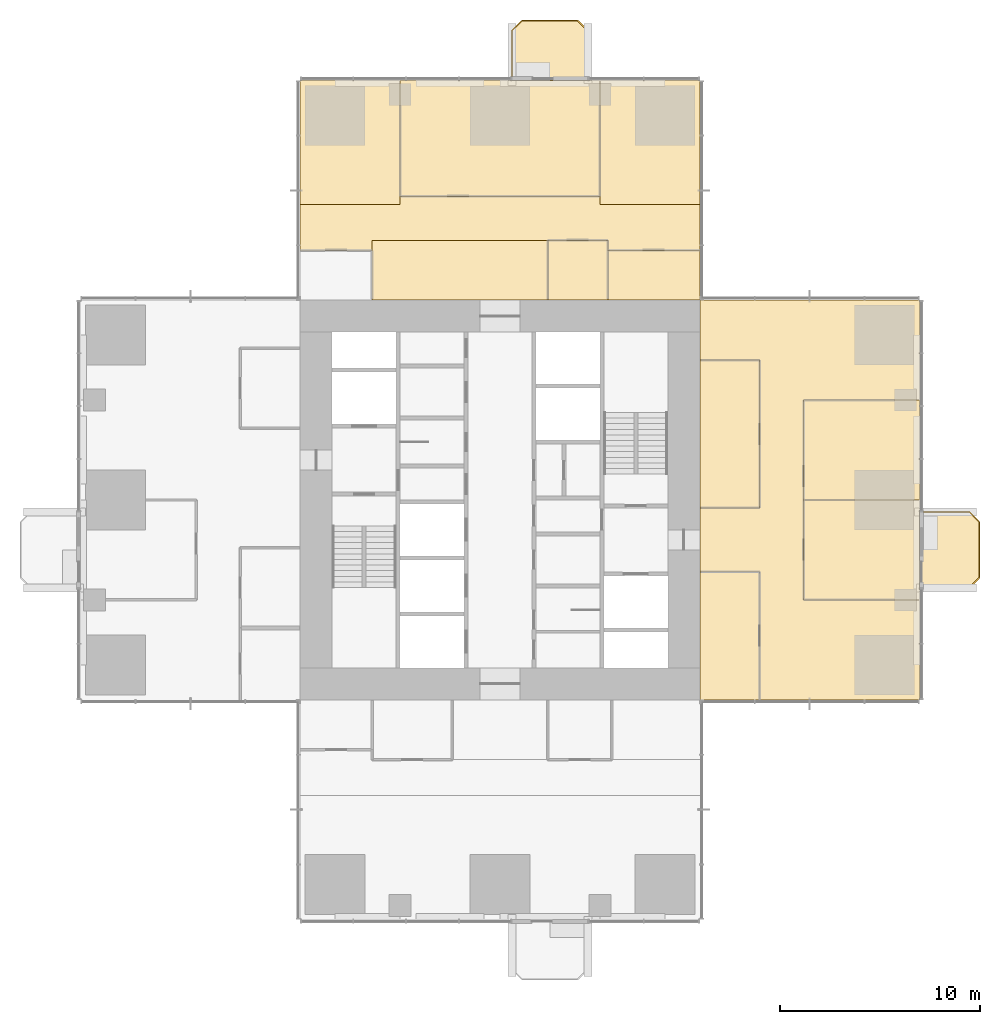
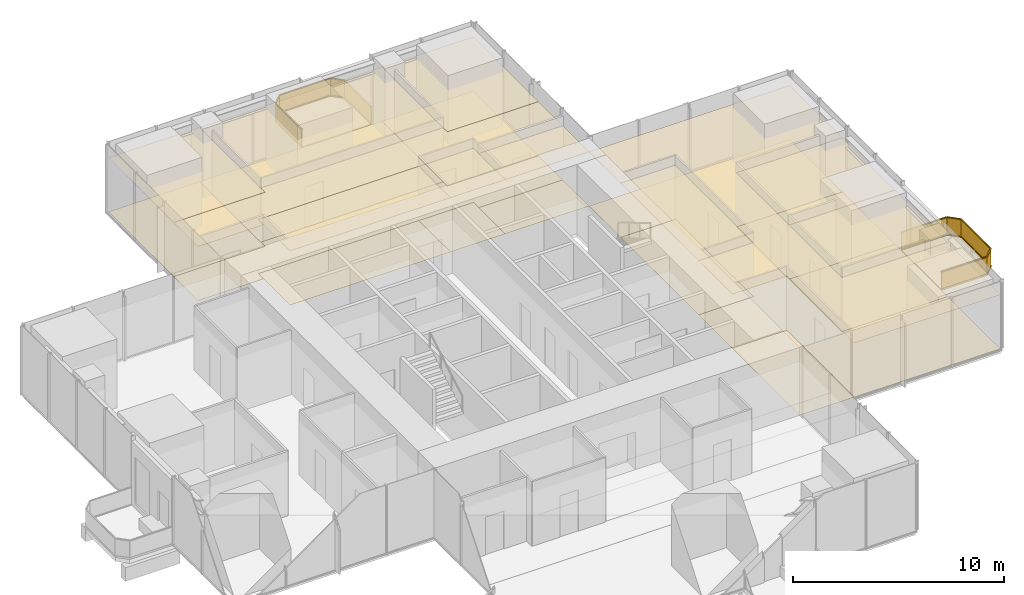
# One storey, part 12 of 13: 25 coverings, 2 railings.
"""IFC4 building model written with IfcOpenShell, lengths in metres."""

from ifc_helpers import new_model, si_unit, direction, frame, origin, origin_2d, place, context, subcontext, project, spatial, polyline, rectangle, outline, extrude, material, layer, layer_set, type_object, element, save


model = new_model("IFC4")

# Units and contexts
model_context = context("Model", 3, precision=1e-05, world=origin(), true_north=direction((0.0, 1.0)))
body_context = subcontext(model_context, "Body", "Model", "MODEL_VIEW")
ifc_project = project(units=[si_unit("LENGTHUNIT", "METRE"), si_unit("AREAUNIT", "SQUARE_METRE"), si_unit("VOLUMEUNIT", "CUBIC_METRE"), si_unit("PLANEANGLEUNIT", "RADIAN"), si_unit("MASSUNIT", "GRAM", prefix="KILO")], contexts=[model_context])

# Site, building, storey
site_placement = place(None, origin())
site = spatial("IfcSite", under=ifc_project, at=site_placement, CompositionType="ELEMENT")
building_placement = place(site_placement, origin())
building = spatial("IfcBuilding", under=site, at=building_placement, Name="Svetlomir Tower", CompositionType="ELEMENT")
storey_placement = place(building_placement, frame((0.0, 0.0, 136.5)))
storey = spatial("IfcBuildingStorey", under=building, at=storey_placement, Name="L32", CompositionType="ELEMENT", Elevation=136.5)

# Railings
ifc_material_1 = material(Name="Bronze anodised aluminium and laminated glass", Category="aluminium")
railing_type = type_object("IfcRailingType", Name="BALCONY GUARD GR1 1100", PredefinedType="GUARDRAIL", material=ifc_material_1)
railing_1_placement = place(storey_placement, frame((42.0, 16.60009765625, 0.0)))
element("IfcRailing", 1, at=railing_1_placement, inside=storey, type_object=railing_type, Name="Balcony guard E L32", PredefinedType="GUARDRAIL", context=body_context, shape_type="SweptSolid", body=[
    extrude(rectangle(XDim=0.06005859375, YDim=0.10009765625, at=origin_2d()), frame((0.0, 0.0, 0.050048828125), z_axis=(1.0, 0.0, 0.0), x_axis=(0.0, 1.0, 0.0)), (0.0, 0.0, 1.0), 2.5),
    extrude(rectangle(XDim=0.021484375, YDim=0.960205078125, at=origin_2d()), frame((0.0, 0.0, 0.580078125), z_axis=(1.0, 0.0, 0.0), x_axis=(0.0, 1.0, 0.0)), (0.0, 0.0, 1.0), 2.5),
    extrude(rectangle(XDim=0.06005859375, YDim=0.0400390625, at=origin_2d()), frame((0.0, 0.0, 1.080078125), z_axis=(1.0, 0.0, 0.0), x_axis=(0.0, 1.0, 0.0)), (0.0, 0.0, 1.0), 2.5),
    extrude(rectangle(XDim=0.06005859375, YDim=0.10009765625, at=origin_2d()), frame((2.5, 0.0, 0.050048828125), z_axis=(0.707106781187, 0.707106781187, 0.0), x_axis=(-0.707106781187, 0.707106781187, 0.0)), (0.0, 0.0, 1.0), 0.70703125),
    extrude(rectangle(XDim=0.021484375, YDim=0.960205078125, at=origin_2d()), frame((2.5, 0.0, 0.580078125), z_axis=(0.707106781187, 0.707106781187, 0.0), x_axis=(-0.707106781187, 0.707106781187, 0.0)), (0.0, 0.0, 1.0), 0.70703125),
    extrude(rectangle(XDim=0.06005859375, YDim=0.0400390625, at=origin_2d()), frame((2.5, 0.0, 1.080078125), z_axis=(0.707106781187, 0.707106781187, 0.0), x_axis=(-0.707106781187, 0.707106781187, 0.0)), (0.0, 0.0, 1.0), 0.70703125),
    extrude(rectangle(XDim=0.06005859375, YDim=0.10009765625, at=origin_2d()), frame((3.0, 0.5, 0.050048828125), z_axis=(0.0, 1.0, 0.0), x_axis=(-1.0, 0.0, 0.0)), (0.0, 0.0, 1.0), 2.7998046875),
    extrude(rectangle(XDim=0.021484375, YDim=0.960205078125, at=origin_2d()), frame((3.0, 0.5, 0.580078125), z_axis=(0.0, 1.0, 0.0), x_axis=(-1.0, 0.0, 0.0)), (0.0, 0.0, 1.0), 2.7998046875),
    extrude(rectangle(XDim=0.06005859375, YDim=0.0400390625, at=origin_2d()), frame((3.0, 0.5, 1.080078125), z_axis=(0.0, 1.0, 0.0), x_axis=(-1.0, 0.0, 0.0)), (0.0, 0.0, 1.0), 2.7998046875),
    extrude(rectangle(XDim=0.06005859375, YDim=0.10009765625, at=origin_2d()), frame((3.0, 3.2998046875, 0.050048828125), z_axis=(-0.707106781187, 0.707106781187, 0.0), x_axis=(-0.707106781187, -0.707106781187, 0.0)), (0.0, 0.0, 1.0), 0.70703125),
    extrude(rectangle(XDim=0.021484375, YDim=0.960205078125, at=origin_2d()), frame((3.0, 3.2998046875, 0.580078125), z_axis=(-0.707106781187, 0.707106781187, 0.0), x_axis=(-0.707106781187, -0.707106781187, 0.0)), (0.0, 0.0, 1.0), 0.70703125),
    extrude(rectangle(XDim=0.06005859375, YDim=0.0400390625, at=origin_2d()), frame((3.0, 3.2998046875, 1.080078125), z_axis=(-0.707106781187, 0.707106781187, 0.0), x_axis=(-0.707106781187, -0.707106781187, 0.0)), (0.0, 0.0, 1.0), 0.70703125),
    extrude(rectangle(XDim=0.06005859375, YDim=0.10009765625, at=origin_2d()), frame((2.5, 3.7998046875, 0.050048828125), z_axis=(-1.0, 0.0, 0.0), x_axis=(0.0, -1.0, 0.0)), (0.0, 0.0, 1.0), 2.5),
    extrude(rectangle(XDim=0.021484375, YDim=0.960205078125, at=origin_2d()), frame((2.5, 3.7998046875, 0.580078125), z_axis=(-1.0, 0.0, 0.0), x_axis=(0.0, -1.0, 0.0)), (0.0, 0.0, 1.0), 2.5),
    extrude(rectangle(XDim=0.06005859375, YDim=0.0400390625, at=origin_2d()), frame((2.5, 3.7998046875, 1.080078125), z_axis=(-1.0, 0.0, 0.0), x_axis=(0.0, -1.0, 0.0)), (0.0, 0.0, 1.0), 2.5),
])
railing_2_placement = place(storey_placement, frame((25.39990234375, 42.0, 0.0)))
element("IfcRailing", 2, at=railing_2_placement, inside=storey, type_object=railing_type, Name="Balcony guard N L32", PredefinedType="GUARDRAIL", context=body_context, shape_type="SweptSolid", body=[
    extrude(rectangle(XDim=0.06005859375, YDim=0.10009765625, at=origin_2d()), frame((0.0, 0.0, 0.050048828125), z_axis=(0.0, 1.0, 0.0), x_axis=(-1.0, 0.0, 0.0)), (0.0, 0.0, 1.0), 2.5),
    extrude(rectangle(XDim=0.021484375, YDim=0.960205078125, at=origin_2d()), frame((0.0, 0.0, 0.580078125), z_axis=(0.0, 1.0, 0.0), x_axis=(-1.0, 0.0, 0.0)), (0.0, 0.0, 1.0), 2.5),
    extrude(rectangle(XDim=0.06005859375, YDim=0.0400390625, at=origin_2d()), frame((0.0, 0.0, 1.080078125), z_axis=(0.0, 1.0, 0.0), x_axis=(-1.0, 0.0, 0.0)), (0.0, 0.0, 1.0), 2.5),
    extrude(rectangle(XDim=0.06005859375, YDim=0.10009765625, at=origin_2d()), frame((0.0, 2.5, 0.050048828125), z_axis=(-0.707106781187, 0.707106781187, 0.0), x_axis=(-0.707106781187, -0.707106781187, 0.0)), (0.0, 0.0, 1.0), 0.70703125),
    extrude(rectangle(XDim=0.021484375, YDim=0.960205078125, at=origin_2d()), frame((0.0, 2.5, 0.580078125), z_axis=(-0.707106781187, 0.707106781187, 0.0), x_axis=(-0.707106781187, -0.707106781187, 0.0)), (0.0, 0.0, 1.0), 0.70703125),
    extrude(rectangle(XDim=0.06005859375, YDim=0.0400390625, at=origin_2d()), frame((0.0, 2.5, 1.080078125), z_axis=(-0.707106781187, 0.707106781187, 0.0), x_axis=(-0.707106781187, -0.707106781187, 0.0)), (0.0, 0.0, 1.0), 0.70703125),
    extrude(rectangle(XDim=0.06005859375, YDim=0.10009765625, at=origin_2d()), frame((-0.5, 3.0, 0.050048828125), z_axis=(-1.0, 0.0, 0.0), x_axis=(0.0, -1.0, 0.0)), (0.0, 0.0, 1.0), 2.7998046875),
    extrude(rectangle(XDim=0.021484375, YDim=0.960205078125, at=origin_2d()), frame((-0.5, 3.0, 0.580078125), z_axis=(-1.0, 0.0, 0.0), x_axis=(0.0, -1.0, 0.0)), (0.0, 0.0, 1.0), 2.7998046875),
    extrude(rectangle(XDim=0.06005859375, YDim=0.0400390625, at=origin_2d()), frame((-0.5, 3.0, 1.080078125), z_axis=(-1.0, 0.0, 0.0), x_axis=(0.0, -1.0, 0.0)), (0.0, 0.0, 1.0), 2.7998046875),
    extrude(rectangle(XDim=0.06005859375, YDim=0.10009765625, at=origin_2d()), frame((-3.2998046875, 3.0, 0.050048828125), z_axis=(-0.707106781187, -0.707106781187, 0.0), x_axis=(0.707106781187, -0.707106781187, 0.0)), (0.0, 0.0, 1.0), 0.70703125),
    extrude(rectangle(XDim=0.021484375, YDim=0.960205078125, at=origin_2d()), frame((-3.2998046875, 3.0, 0.580078125), z_axis=(-0.707106781187, -0.707106781187, 0.0), x_axis=(0.707106781187, -0.707106781187, 0.0)), (0.0, 0.0, 1.0), 0.70703125),
    extrude(rectangle(XDim=0.06005859375, YDim=0.0400390625, at=origin_2d()), frame((-3.2998046875, 3.0, 1.080078125), z_axis=(-0.707106781187, -0.707106781187, 0.0), x_axis=(0.707106781187, -0.707106781187, 0.0)), (0.0, 0.0, 1.0), 0.70703125),
    extrude(rectangle(XDim=0.06005859375, YDim=0.10009765625, at=origin_2d()), frame((-3.7998046875, 2.5, 0.050048828125), z_axis=(0.0, -1.0, 0.0), x_axis=(1.0, 0.0, 0.0)), (0.0, 0.0, 1.0), 2.5),
    extrude(rectangle(XDim=0.021484375, YDim=0.960205078125, at=origin_2d()), frame((-3.7998046875, 2.5, 0.580078125), z_axis=(0.0, -1.0, 0.0), x_axis=(1.0, 0.0, 0.0)), (0.0, 0.0, 1.0), 2.5),
    extrude(rectangle(XDim=0.06005859375, YDim=0.0400390625, at=origin_2d()), frame((-3.7998046875, 2.5, 1.080078125), z_axis=(0.0, -1.0, 0.0), x_axis=(1.0, 0.0, 0.0)), (0.0, 0.0, 1.0), 2.5),
])

# Coverings
ifc_material_2 = material(Name="Granite paving slabs on pedestals", Category="masonry")
ifc_layer_1 = layer(ifc_material_2, 0.0400390625)
ifc_layer_set_1 = layer_set([ifc_layer_1], Name="Granite paving slabs on pedestals")
covering_type_1 = type_object("IfcCoveringType", Name="BALCONY PAVING 40", PredefinedType="USERDEFINED", material=ifc_layer_set_1)
covering_1_placement = place(storey_placement, origin())
element("IfcCovering", 3, at=covering_1_placement, inside=storey, type_object=covering_type_1, Name="Balcony paving E L32", ObjectType="BALCONY PAVING", PredefinedType="USERDEFINED", context=body_context, shape_type="SweptSolid", body=[
    extrude(outline(polyline([(42.0, 16.60009765625), (44.5, 16.60009765625), (45.0, 17.10009765625), (45.0, 19.89990234375), (44.5, 20.39990234375), (42.0, 20.39990234375), (42.0, 16.60009765625)])), origin(), (0.0, 0.0, 1.0), 0.0400390625),
])
covering_2_placement = place(storey_placement, origin())
element("IfcCovering", 4, at=covering_2_placement, inside=storey, type_object=covering_type_1, Name="Balcony paving N L32", ObjectType="BALCONY PAVING", PredefinedType="USERDEFINED", context=body_context, shape_type="SweptSolid", body=[
    extrude(outline(polyline([(21.60009765625, 42.0), (25.39990234375, 42.0), (25.39990234375, 44.5), (24.89990234375, 45.0), (22.10009765625, 45.0), (21.60009765625, 44.5), (21.60009765625, 42.0)])), origin(), (0.0, 0.0, 1.0), 0.0400390625),
])
ifc_material_3 = material(Name="Carpet tile", Category="textile")
ifc_layer_2 = layer(ifc_material_3, 0.010009765625)
ifc_layer_set_2 = layer_set([ifc_layer_2], Name="Carpet tile")
covering_type_2 = type_object("IfcCoveringType", Name="CARPET TILE FLOOR 10", PredefinedType="FLOORING", material=ifc_layer_set_2)
covering_3_placement = place(storey_placement, origin())
element("IfcCovering", 5, at=covering_3_placement, inside=storey, type_object=covering_type_2, Name="Floor finish L32-19", PredefinedType="FLOORING", context=body_context, shape_type="SweptSolid", body=[
    extrude(outline(polyline([(31.0, 11.0), (34.0, 11.0), (34.0, 17.39990234375), (31.0, 17.39990234375), (31.0, 11.0)])), origin(), (0.0, 0.0, 1.0), 0.010009765625),
])
covering_4_placement = place(storey_placement, origin())
element("IfcCovering", 6, at=covering_4_placement, inside=storey, type_object=covering_type_2, Name="Floor finish L32-20", PredefinedType="FLOORING", context=body_context, shape_type="SweptSolid", body=[
    extrude(outline(polyline([(31.0, 20.60009765625), (34.0, 20.60009765625), (34.0, 28.0), (31.0, 28.0), (31.0, 20.60009765625)])), origin(), (0.0, 0.0, 1.0), 0.010009765625),
])
covering_5_placement = place(storey_placement, origin())
element("IfcCovering", 7, at=covering_5_placement, inside=storey, type_object=covering_type_2, Name="Floor finish L32-21", PredefinedType="FLOORING", context=body_context, shape_type="SweptSolid", body=[
    extrude(outline(polyline([(36.199951171875, 16.0), (42.0, 16.0), (42.0, 21.0), (36.199951171875, 21.0), (36.199951171875, 16.0)])), origin(), (0.0, 0.0, 1.0), 0.010009765625),
])
covering_6_placement = place(storey_placement, origin())
element("IfcCovering", 8, at=covering_6_placement, inside=storey, type_object=covering_type_2, Name="Floor finish L32-22", PredefinedType="FLOORING", context=body_context, shape_type="SweptSolid", body=[
    extrude(outline(polyline([(36.199951171875, 21.0), (42.0, 21.0), (42.0, 26.0), (36.199951171875, 26.0), (36.199951171875, 21.0)])), origin(), (0.0, 0.0, 1.0), 0.010009765625),
])
covering_7_placement = place(storey_placement, origin())
element("IfcCovering", 9, at=covering_7_placement, inside=storey, type_object=covering_type_2, Name="Floor finish L32-24", PredefinedType="FLOORING", context=body_context, shape_type="SweptSolid", body=[
    extrude(outline(polyline([(23.39990234375, 31.0), (26.39990234375, 31.0), (26.39990234375, 34.0), (23.39990234375, 34.0), (23.39990234375, 31.0)])), origin(), (0.0, 0.0, 1.0), 0.010009765625),
])
covering_8_placement = place(storey_placement, origin())
element("IfcCovering", 10, at=covering_8_placement, inside=storey, type_object=covering_type_2, Name="Floor finish L32-25", PredefinedType="FLOORING", context=body_context, shape_type="SweptSolid", body=[
    extrude(outline(polyline([(26.39990234375, 31.0), (31.0, 31.0), (31.0, 33.5), (26.39990234375, 33.5), (26.39990234375, 31.0)])), origin(), (0.0, 0.0, 1.0), 0.010009765625),
])
covering_9_placement = place(storey_placement, origin())
element("IfcCovering", 11, at=covering_9_placement, inside=storey, type_object=covering_type_2, Name="Floor finish L32-26", PredefinedType="FLOORING", context=body_context, shape_type="SweptSolid", body=[
    extrude(outline(polyline([(16.0, 36.199951171875), (26.0, 36.199951171875), (26.0, 42.0), (16.0, 42.0), (16.0, 36.199951171875)])), origin(), (0.0, 0.0, 1.0), 0.010009765625),
])
covering_10_placement = place(storey_placement, origin())
element("IfcCovering", 12, at=covering_10_placement, inside=storey, type_object=covering_type_2, Name="Floor finish L32-32", PredefinedType="FLOORING", context=body_context, shape_type="SweptSolid", body=[
    extrude(outline(polyline([(14.60009765625, 33.5), (11.0, 33.5), (11.0, 35.800048828125), (16.0, 35.800048828125), (16.0, 36.199951171875), (26.0, 36.199951171875), (26.0, 35.800048828125), (31.0, 35.800048828125), (31.0, 33.5), (26.39990234375, 33.5), (26.39990234375, 34.0), (14.60009765625, 34.0), (14.60009765625, 33.5)])), origin(), (0.0, 0.0, 1.0), 0.010009765625),
])
covering_11_placement = place(storey_placement, origin())
element("IfcCovering", 13, at=covering_11_placement, inside=storey, type_object=covering_type_2, Name="Floor finish L32-36", PredefinedType="FLOORING", context=body_context, shape_type="SweptSolid", body=[
    extrude(outline(polyline([(34.0, 17.39990234375), (31.0, 17.39990234375), (31.0, 20.60009765625), (34.0, 20.60009765625), (34.0, 28.0), (31.0, 28.0), (31.0, 31.0), (42.0, 31.0), (42.0, 26.0), (36.199951171875, 26.0), (36.199951171875, 16.0), (42.0, 16.0), (42.0, 11.0), (34.0, 11.0), (34.0, 17.39990234375)])), origin(), (0.0, 0.0, 1.0), 0.010009765625),
])
covering_12_placement = place(storey_placement, origin())
element("IfcCovering", 14, at=covering_12_placement, inside=storey, type_object=covering_type_2, Name="Floor finish L32-37", PredefinedType="FLOORING", context=body_context, shape_type="SweptSolid", body=[
    extrude(outline(polyline([(26.0, 35.800048828125), (26.0, 42.0), (31.0, 42.0), (31.0, 35.800048828125), (26.0, 35.800048828125)])), origin(), (0.0, 0.0, 1.0), 0.010009765625),
])
covering_13_placement = place(storey_placement, origin())
element("IfcCovering", 15, at=covering_13_placement, inside=storey, type_object=covering_type_2, Name="Floor finish L32-38", PredefinedType="FLOORING", context=body_context, shape_type="SweptSolid", body=[
    extrude(outline(polyline([(14.60009765625, 31.0), (14.60009765625, 34.0), (23.39990234375, 34.0), (23.39990234375, 31.0), (14.60009765625, 31.0)])), origin(), (0.0, 0.0, 1.0), 0.010009765625),
])
covering_14_placement = place(storey_placement, origin())
element("IfcCovering", 16, at=covering_14_placement, inside=storey, type_object=covering_type_2, Name="Floor finish L32-39", PredefinedType="FLOORING", context=body_context, shape_type="SweptSolid", body=[
    extrude(outline(polyline([(16.0, 42.0), (16.0, 35.800048828125), (11.0, 35.800048828125), (11.0, 42.0), (16.0, 42.0)])), origin(), (0.0, 0.0, 1.0), 0.010009765625),
])
ifc_material_4 = material(Name="Mineral fibre ceiling tile", Category="mineral")
ifc_layer_3 = layer(ifc_material_4, 0.02001953125)
ifc_layer_set_3 = layer_set([ifc_layer_3], Name="Mineral fibre ceiling tile")
covering_type_3 = type_object("IfcCoveringType", Name="SUSPENDED CEILING 20", PredefinedType="CEILING", material=ifc_layer_set_3)
covering_15_placement = place(storey_placement, frame((0.0, 0.0, 3.1298828125)))
element("IfcCovering", 17, at=covering_15_placement, inside=storey, type_object=covering_type_3, Name="Ceiling L32-20", PredefinedType="CEILING", context=body_context, shape_type="SweptSolid", body=[
    extrude(outline(polyline([(31.0, 20.60009765625), (34.0, 20.60009765625), (34.0, 28.0), (31.0, 28.0), (31.0, 20.60009765625)])), origin(), (0.0, 0.0, 1.0), 0.02001953125),
])
covering_16_placement = place(storey_placement, frame((0.0, 0.0, 3.1298828125)))
element("IfcCovering", 18, at=covering_16_placement, inside=storey, type_object=covering_type_3, Name="Ceiling L32-21", PredefinedType="CEILING", context=body_context, shape_type="SweptSolid", body=[
    extrude(outline(polyline([(36.199951171875, 16.0), (42.0, 16.0), (42.0, 21.0), (36.199951171875, 21.0), (36.199951171875, 16.0)])), origin(), (0.0, 0.0, 1.0), 0.02001953125),
])
covering_17_placement = place(storey_placement, frame((0.0, 0.0, 3.1298828125)))
element("IfcCovering", 19, at=covering_17_placement, inside=storey, type_object=covering_type_3, Name="Ceiling L32-22", PredefinedType="CEILING", context=body_context, shape_type="SweptSolid", body=[
    extrude(outline(polyline([(36.199951171875, 21.0), (42.0, 21.0), (42.0, 26.0), (36.199951171875, 26.0), (36.199951171875, 21.0)])), origin(), (0.0, 0.0, 1.0), 0.02001953125),
])
covering_18_placement = place(storey_placement, frame((0.0, 0.0, 3.1298828125)))
element("IfcCovering", 20, at=covering_18_placement, inside=storey, type_object=covering_type_3, Name="Ceiling L32-24", PredefinedType="CEILING", context=body_context, shape_type="SweptSolid", body=[
    extrude(outline(polyline([(23.39990234375, 31.0), (26.39990234375, 31.0), (26.39990234375, 34.0), (23.39990234375, 34.0), (23.39990234375, 31.0)])), origin(), (0.0, 0.0, 1.0), 0.02001953125),
])
covering_19_placement = place(storey_placement, frame((0.0, 0.0, 3.1298828125)))
element("IfcCovering", 21, at=covering_19_placement, inside=storey, type_object=covering_type_3, Name="Ceiling L32-25", PredefinedType="CEILING", context=body_context, shape_type="SweptSolid", body=[
    extrude(outline(polyline([(26.39990234375, 31.0), (31.0, 31.0), (31.0, 33.5), (26.39990234375, 33.5), (26.39990234375, 31.0)])), origin(), (0.0, 0.0, 1.0), 0.02001953125),
])
covering_20_placement = place(storey_placement, frame((0.0, 0.0, 3.1298828125)))
element("IfcCovering", 22, at=covering_20_placement, inside=storey, type_object=covering_type_3, Name="Ceiling L32-26", PredefinedType="CEILING", context=body_context, shape_type="SweptSolid", body=[
    extrude(outline(polyline([(16.0, 36.199951171875), (26.0, 36.199951171875), (26.0, 42.0), (16.0, 42.0), (16.0, 36.199951171875)])), origin(), (0.0, 0.0, 1.0), 0.02001953125),
])
covering_21_placement = place(storey_placement, frame((0.0, 0.0, 3.1298828125)))
element("IfcCovering", 23, at=covering_21_placement, inside=storey, type_object=covering_type_3, Name="Ceiling L32-32", PredefinedType="CEILING", context=body_context, shape_type="SweptSolid", body=[
    extrude(outline(polyline([(14.60009765625, 33.5), (11.0, 33.5), (11.0, 35.800048828125), (16.0, 35.800048828125), (16.0, 36.199951171875), (26.0, 36.199951171875), (26.0, 35.800048828125), (31.0, 35.800048828125), (31.0, 33.5), (26.39990234375, 33.5), (26.39990234375, 34.0), (14.60009765625, 34.0), (14.60009765625, 33.5)])), origin(), (0.0, 0.0, 1.0), 0.02001953125),
])
covering_22_placement = place(storey_placement, frame((0.0, 0.0, 3.1298828125)))
element("IfcCovering", 24, at=covering_22_placement, inside=storey, type_object=covering_type_3, Name="Ceiling L32-36", PredefinedType="CEILING", context=body_context, shape_type="SweptSolid", body=[
    extrude(outline(polyline([(34.0, 17.39990234375), (31.0, 17.39990234375), (31.0, 20.60009765625), (34.0, 20.60009765625), (34.0, 28.0), (31.0, 28.0), (31.0, 31.0), (42.0, 31.0), (42.0, 26.0), (36.199951171875, 26.0), (36.199951171875, 16.0), (42.0, 16.0), (42.0, 11.0), (34.0, 11.0), (34.0, 17.39990234375)])), origin(), (0.0, 0.0, 1.0), 0.02001953125),
])
covering_23_placement = place(storey_placement, frame((0.0, 0.0, 3.1298828125)))
element("IfcCovering", 25, at=covering_23_placement, inside=storey, type_object=covering_type_3, Name="Ceiling L32-37", PredefinedType="CEILING", context=body_context, shape_type="SweptSolid", body=[
    extrude(outline(polyline([(26.0, 35.800048828125), (26.0, 42.0), (31.0, 42.0), (31.0, 35.800048828125), (26.0, 35.800048828125)])), origin(), (0.0, 0.0, 1.0), 0.02001953125),
])
covering_24_placement = place(storey_placement, frame((0.0, 0.0, 3.1298828125)))
element("IfcCovering", 26, at=covering_24_placement, inside=storey, type_object=covering_type_3, Name="Ceiling L32-38", PredefinedType="CEILING", context=body_context, shape_type="SweptSolid", body=[
    extrude(outline(polyline([(14.60009765625, 31.0), (14.60009765625, 34.0), (23.39990234375, 34.0), (23.39990234375, 31.0), (14.60009765625, 31.0)])), origin(), (0.0, 0.0, 1.0), 0.02001953125),
])
covering_25_placement = place(storey_placement, frame((0.0, 0.0, 3.1298828125)))
element("IfcCovering", 27, at=covering_25_placement, inside=storey, type_object=covering_type_3, Name="Ceiling L32-39", PredefinedType="CEILING", context=body_context, shape_type="SweptSolid", body=[
    extrude(outline(polyline([(16.0, 42.0), (16.0, 35.800048828125), (11.0, 35.800048828125), (11.0, 42.0), (16.0, 42.0)])), origin(), (0.0, 0.0, 1.0), 0.02001953125),
])

save(model, "model.ifc")
